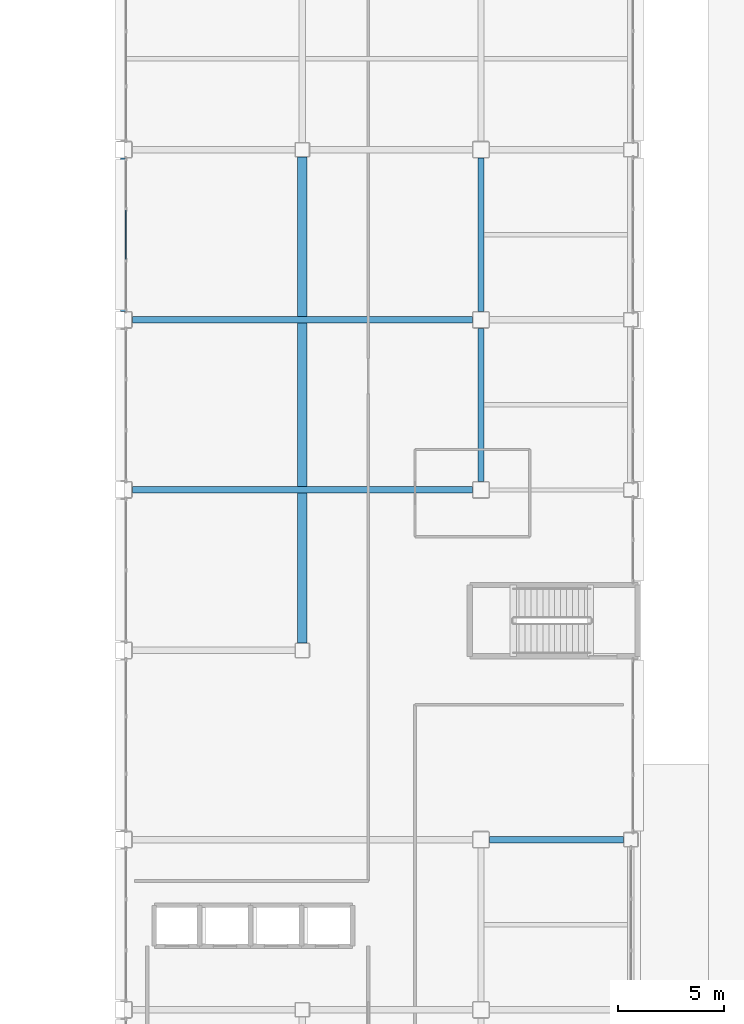
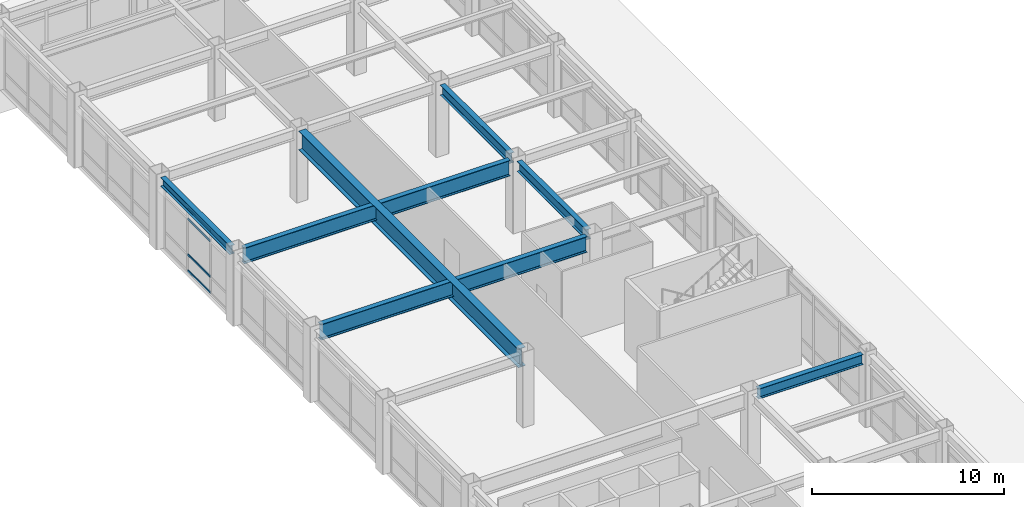
# One storey, part 113 of 172: 7 beams, 4 members, 1 element without a shape of its own.
"""IFC4 building model written with IfcOpenShell, lengths in metres."""

from ifc_helpers import new_model, si_unit, direction, frame, origin, origin_2d, place, context, subcontext, project, spatial, hollow_rectangle, i_section, extrude, material, layer, layer_set, material_profile, profile_set, type_object, element, aggregate, save


model = new_model("IFC4")

# Units and contexts
model_context = context("Model", 3, precision=1e-05, world=origin(), true_north=direction((0.0, 1.0)))
body_context = subcontext(model_context, "Body", "Model", "MODEL_VIEW")
ifc_project = project(units=[si_unit("LENGTHUNIT", "METRE"), si_unit("AREAUNIT", "SQUARE_METRE"), si_unit("VOLUMEUNIT", "CUBIC_METRE"), si_unit("PLANEANGLEUNIT", "RADIAN"), si_unit("MASSUNIT", "GRAM", prefix="KILO")], contexts=[model_context])

# Site, building, storey
site_placement = place(None, origin())
site = spatial("IfcSite", under=ifc_project, at=site_placement, CompositionType="ELEMENT")
building_placement = place(site_placement, origin())
building = spatial("IfcBuilding", under=site, at=building_placement, Name="Kazehara Bluff Congress Hotel", CompositionType="ELEMENT")
storey_placement = place(building_placement, frame((0.0, 0.0, 5.39990234375)))
storey = spatial("IfcBuildingStorey", under=building, at=storey_placement, Name="L01", CompositionType="ELEMENT", Elevation=5.39990234375)

# Curtain wall, members
ifc_material_1 = material(Name="Anodised aluminium", Category="aluminium")
ifc_layer = layer(ifc_material_1, 0.159912109375)
ifc_layer_set = layer_set([ifc_layer], Name="Anodised aluminium")
curtain_wall_type = type_object("IfcCurtainWallType", Name="TP-CW-120", PredefinedType="NOTDEFINED", material=ifc_layer_set)
curtain_wall_placement = place(storey_placement, origin())
curtain_wall = element("IfcCurtainWall", 1, at=curtain_wall_placement, inside=storey, type_object=curtain_wall_type, Name="L01 curtain wall CW-120 CW-ENC-V5-L01-14380-9290", PredefinedType="NOTDEFINED")
ifc_material_2 = material(Name="Anodised aluminium", Category="aluminium")
ifc_material_profile_1 = material_profile(ifc_material_2, hollow_rectangle(XDim=0.06494140625, YDim=0.139892578125, WallThickness=0.00390625, InnerFilletRadius=0.00390625, OuterFilletRadius=0.008056640625, at=origin_2d()))
ifc_profile_set_1 = profile_set([ifc_material_profile_1], Name="Anodised aluminium")
member_type = type_object("IfcMemberType", Name="TP-CWT-02", PredefinedType="USERDEFINED", material=ifc_profile_set_1)
member_1_placement = place(storey_placement, frame((143.800048828125, 91.732421875, 0.03271484375), z_axis=(0.0, 1.0, 0.0), x_axis=(-1.0, 0.0, 0.0)))
member_1 = element("IfcMember", 2, at=member_1_placement, type_object=member_type, Name="CW-120 transom 2.1", ObjectType="TRANSOM", PredefinedType="USERDEFINED", context=body_context, shape_type="SweptSolid", body=[
    extrude(hollow_rectangle(XDim=0.06494140625, YDim=0.139892578125, WallThickness=0.00390625, InnerFilletRadius=0.00390625, OuterFilletRadius=0.008056640625, at=origin_2d()), origin(), (0.0, 0.0, 1.0), 2.3349609375),
])
member_2_placement = place(storey_placement, frame((143.800048828125, 91.732421875, 1.050048828125), z_axis=(0.0, 1.0, 0.0), x_axis=(-1.0, 0.0, 0.0)))
member_2 = element("IfcMember", 3, at=member_2_placement, type_object=member_type, Name="CW-120 transom 2.2", ObjectType="TRANSOM", PredefinedType="USERDEFINED", context=body_context, shape_type="SweptSolid", body=[
    extrude(hollow_rectangle(XDim=0.06494140625, YDim=0.139892578125, WallThickness=0.00390625, InnerFilletRadius=0.00390625, OuterFilletRadius=0.008056640625, at=origin_2d()), origin(), (0.0, 0.0, 1.0), 2.3349609375),
])
member_3_placement = place(storey_placement, frame((143.800048828125, 91.732421875, 3.3251953125), z_axis=(0.0, 1.0, 0.0), x_axis=(-1.0, 0.0, 0.0)))
member_3 = element("IfcMember", 4, at=member_3_placement, type_object=member_type, Name="CW-120 transom 2.3", ObjectType="TRANSOM", PredefinedType="USERDEFINED", context=body_context, shape_type="SweptSolid", body=[
    extrude(hollow_rectangle(XDim=0.06494140625, YDim=0.139892578125, WallThickness=0.00390625, InnerFilletRadius=0.00390625, OuterFilletRadius=0.008056640625, at=origin_2d()), origin(), (0.0, 0.0, 1.0), 2.3349609375),
])
member_4_placement = place(storey_placement, frame((143.800048828125, 91.732421875, 3.942626953125), z_axis=(0.0, 1.0, 0.0), x_axis=(-1.0, 0.0, 0.0)))
member_4 = element("IfcMember", 5, at=member_4_placement, type_object=member_type, Name="CW-120 transom 2.4", ObjectType="TRANSOM", PredefinedType="USERDEFINED", context=body_context, shape_type="SweptSolid", body=[
    extrude(hollow_rectangle(XDim=0.06494140625, YDim=0.139892578125, WallThickness=0.00390625, InnerFilletRadius=0.00390625, OuterFilletRadius=0.008056640625, at=origin_2d()), origin(), (0.0, 0.0, 1.0), 2.3349609375),
])
aggregate(curtain_wall, [member_1, member_2, member_3, member_4])

# Beams
ifc_material_3 = material(Name="Steel SN490B", Category="steel")
ifc_material_profile_2 = material_profile(ifc_material_3, i_section(OverallWidth=0.300048828125, OverallDepth=0.64990234375, WebThickness=0.011962890625, FlangeThickness=0.02001953125, FilletRadius=0.012939453125, at=origin_2d()))
ifc_profile_set_2 = profile_set([ifc_material_profile_2], Name="Steel SN490B")
beam_type_1 = type_object("IfcBeamType", Name="TP-G-03", PredefinedType="BEAM", material=ifc_profile_set_2)
for number, where, z_axis, x_axis, name in (
    (6, (160.5, 81.300048828125, 4.22509765625), (0.0, 1.0, 0.0), (-1.0, 0.0, 0.0), "L01 girder G-03 256"),
    (7, (160.5, 89.300048828125, 4.22509765625), (0.0, 1.0, 0.0), (-1.0, 0.0, 0.0), "L01 girder G-03 257"),
):
    element("IfcBeam", number, at=place(storey_placement, frame(where, z_axis=z_axis, x_axis=x_axis)), inside=storey, type_object=beam_type_1, Name=name, PredefinedType="BEAM", context=body_context, shape_type="SweptSolid", body=[
        extrude(i_section(OverallWidth=0.300048828125, OverallDepth=0.64990234375, WebThickness=0.011962890625, FlangeThickness=0.02001953125, FilletRadius=0.012939453125, at=origin_2d()), origin(), (0.0, 0.0, 1.0), 7.199951171875),
    ])
beam_1_placement = place(storey_placement, frame((160.89990234375, 64.449951171875, 4.22509765625), z_axis=(1.0, 0.0, 0.0), x_axis=(0.0, 1.0, 0.0)))
element("IfcBeam", 8, at=beam_1_placement, inside=storey, type_object=beam_type_1, Name="L01 girder G-03 304", PredefinedType="BEAM", context=body_context, shape_type="SweptSolid", body=[
    extrude(i_section(OverallWidth=0.300048828125, OverallDepth=0.64990234375, WebThickness=0.011962890625, FlangeThickness=0.02001953125, FilletRadius=0.012939453125, at=origin_2d()), origin(), (0.0, 0.0, 1.0), 6.300048828125),
])
ifc_material_4 = material(Name="Steel SN490B", Category="steel")
ifc_material_profile_3 = material_profile(ifc_material_4, i_section(OverallWidth=0.300048828125, OverallDepth=1.0, WebThickness=0.01611328125, FlangeThickness=0.028076171875, FilletRadius=0.02197265625, at=origin_2d()))
ifc_profile_set_3 = profile_set([ifc_material_profile_3], Name="Steel SN490B")
beam_type_2 = type_object("IfcBeamType", Name="TP-G-09", PredefinedType="BEAM", material=ifc_profile_set_3)
for number, where, z_axis, x_axis, name in (
    (9, (144.10009765625, 80.89990234375, 4.050048828125), (1.0, 0.0, 0.0), (0.0, 1.0, 0.0), "L01 girder G-09 306"),
    (10, (144.10009765625, 88.89990234375, 4.050048828125), (1.0, 0.0, 0.0), (0.0, 1.0, 0.0), "L01 girder G-09 308"),
):
    element("IfcBeam", number, at=place(storey_placement, frame(where, z_axis=z_axis, x_axis=x_axis)), inside=storey, type_object=beam_type_2, Name=name, PredefinedType="BEAM", context=body_context, shape_type="SweptSolid", body=[
        extrude(i_section(OverallWidth=0.300048828125, OverallDepth=1.0, WebThickness=0.01611328125, FlangeThickness=0.028076171875, FilletRadius=0.02197265625, at=origin_2d()), origin(), (0.0, 0.0, 1.0), 16.0),
    ])
ifc_material_5 = material(Name="Steel SN490B", Category="steel")
ifc_material_profile_4 = material_profile(ifc_material_5, i_section(OverallWidth=0.449951171875, OverallDepth=1.199951171875, WebThickness=0.02001953125, FlangeThickness=0.031982421875, at=origin_2d()))
ifc_profile_set_4 = profile_set([ifc_material_profile_4], Name="Steel SN490B")
beam_type_3 = type_object("IfcBeamType", Name="TP-G-10", PredefinedType="BEAM", material=ifc_profile_set_4)
beam_2_placement = place(storey_placement, frame((152.10009765625, 73.699951171875, 3.9501953125), z_axis=(0.0, 1.0, 0.0), x_axis=(-1.0, 0.0, 0.0)))
element("IfcBeam", 11, at=beam_2_placement, inside=storey, type_object=beam_type_3, Name="L01 girder G-10 246", PredefinedType="BEAM", context=body_context, shape_type="SweptSolid", body=[
    extrude(i_section(OverallWidth=0.449951171875, OverallDepth=1.199951171875, WebThickness=0.02001953125, FlangeThickness=0.031982421875, at=origin_2d()), origin(), (0.0, 0.0, 1.0), 22.85009765625),
])
ifc_material_6 = material(Name="Steel SN490B", Category="steel")
ifc_material_profile_5 = material_profile(ifc_material_6, i_section(OverallWidth=0.300048828125, OverallDepth=0.550048828125, WebThickness=0.010986328125, FlangeThickness=0.01806640625, FilletRadius=0.012939453125, at=origin_2d()))
ifc_profile_set_5 = profile_set([ifc_material_profile_5], Name="Steel SN490B")
beam_type_4 = type_object("IfcBeamType", Name="TP-SP-01", PredefinedType="SPANDREL", material=ifc_profile_set_5)
beam_3_placement = place(storey_placement, frame((143.699951171875, 89.300048828125, 4.275146484375), z_axis=(0.0, 1.0, 0.0), x_axis=(-1.0, 0.0, 0.0)))
element("IfcBeam", 12, at=beam_3_placement, inside=storey, type_object=beam_type_4, Name="L01 girder SP-01 239", PredefinedType="SPANDREL", context=body_context, shape_type="SweptSolid", body=[
    extrude(i_section(OverallWidth=0.300048828125, OverallDepth=0.550048828125, WebThickness=0.010986328125, FlangeThickness=0.01806640625, FilletRadius=0.012939453125, at=origin_2d()), origin(), (0.0, 0.0, 1.0), 7.199951171875),
])

save(model, "model.ifc")
